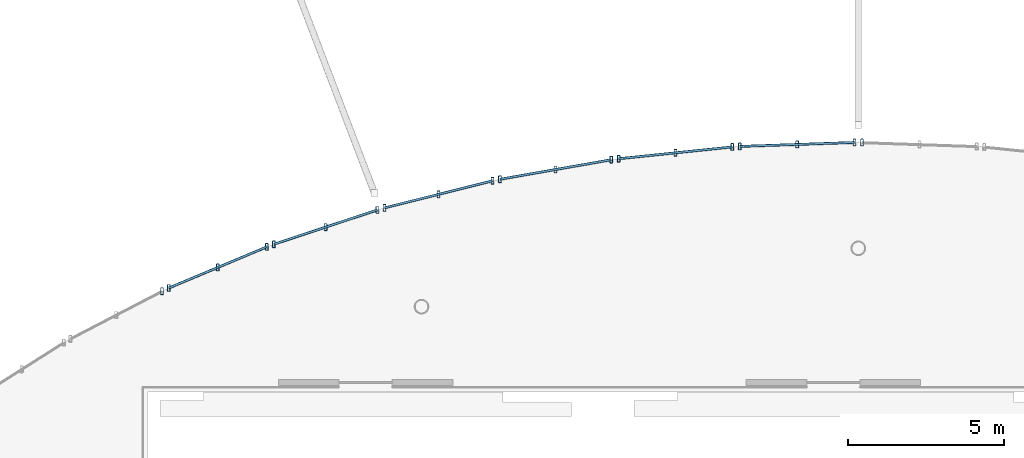
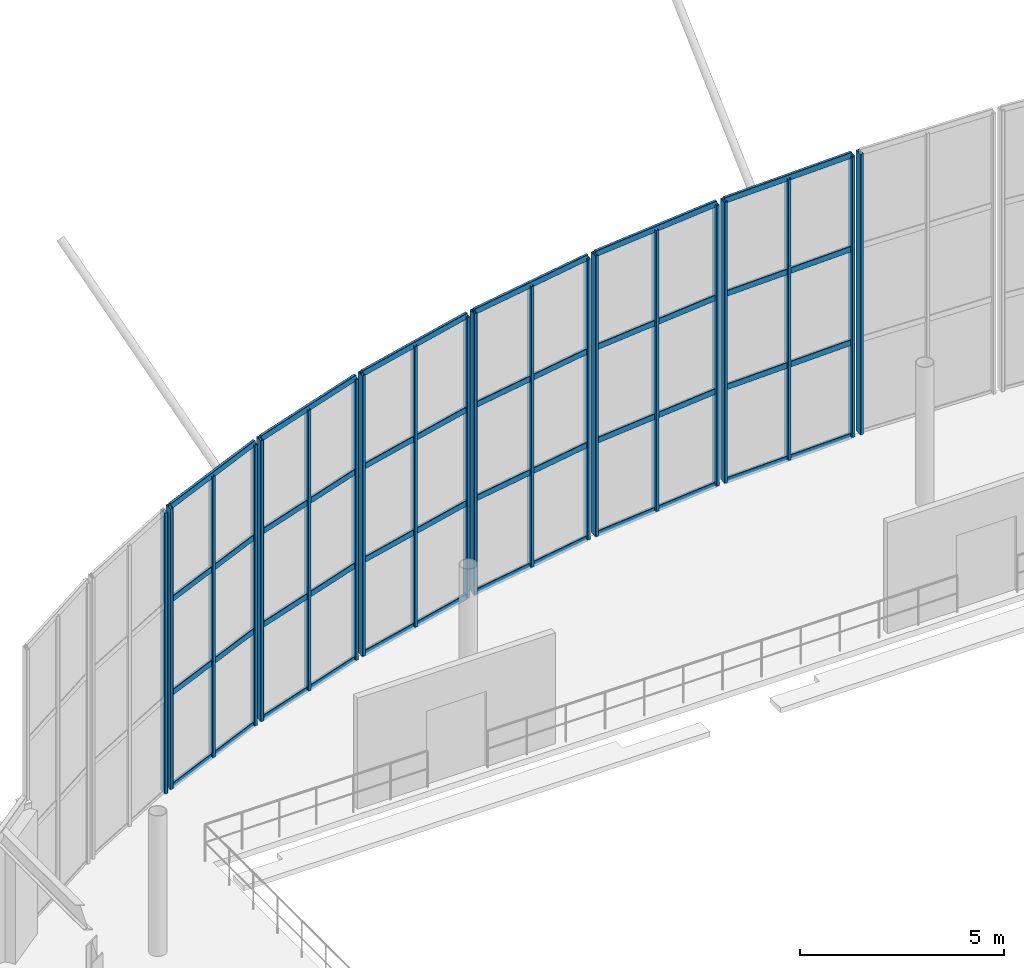
# One storey, part 36 of 109: 44 members, 8 elements without a shape of their own.
"""IFC4 building model written with IfcOpenShell, lengths in metres."""

from ifc_helpers import new_model, si_unit, derived_unit, direction, frame, origin, origin_2d, place, context, subcontext, project, spatial, hollow_rectangle, extrude, material, material_profile, profile_set, type_object, element, aggregate, save


model = new_model("IFC4")

# Units and contexts
model_context = context("Model", 3, precision=1e-05, world=origin(), true_north=direction((0.0, 1.0)))
body_context = subcontext(model_context, "Body", "Model", "MODEL_VIEW")
ifc_project = project(units=[si_unit("LENGTHUNIT", "METRE"), si_unit("AREAUNIT", "SQUARE_METRE"), si_unit("VOLUMEUNIT", "CUBIC_METRE"), si_unit("PLANEANGLEUNIT", "RADIAN"), si_unit("MASSUNIT", "GRAM", prefix="KILO"), derived_unit("THERMALTRANSMITTANCEUNIT", [(si_unit("MASSUNIT", "GRAM", prefix="KILO"), 1), (si_unit("TIMEUNIT", "SECOND"), -3), (si_unit("THERMODYNAMICTEMPERATUREUNIT", "KELVIN"), -1)])], contexts=[model_context])

# Site, building, storey
site_placement = place(None, origin())
site = spatial("IfcSite", under=ifc_project, at=site_placement, CompositionType="ELEMENT")
building_placement = place(site_placement, origin())
building = spatial("IfcBuilding", under=site, at=building_placement, Name="Kharveza Railside Sports Centre", CompositionType="ELEMENT")
storey_placement = place(building_placement, frame((0.0, 0.0, 4.5)))
storey = spatial("IfcBuildingStorey", under=building, at=storey_placement, Name="L01", CompositionType="ELEMENT", Elevation=4.5)

# Curtain wall, member
ifc_material_1 = material(Name="Low-E solar-control laminated glass", Category="glass")
curtain_wall_type = type_object("IfcCurtainWallType", Name="CW-DR01", PredefinedType="NOTDEFINED", material=ifc_material_1)
curtain_wall_1_placement = place(storey_placement, origin())
curtain_wall_1 = element("IfcCurtainWall", 1, at=curtain_wall_1_placement, inside=storey, type_object=curtain_wall_type, Name="CW-DRUM-16", PredefinedType="NOTDEFINED")
ifc_material_2 = material(Name="Anodised aluminium 6063-T6", Category="aluminium")
ifc_material_profile_1 = material_profile(ifc_material_2, hollow_rectangle(XDim=0.090087890625, YDim=0.219970703125, WallThickness=0.008056640625, InnerFilletRadius=0.008056640625, OuterFilletRadius=0.01611328125, at=origin_2d()), Name="RHS 90x220x8.0")
ifc_profile_set_1 = profile_set([ifc_material_profile_1], Name="Anodised aluminium 6063-T6")
member_type_1 = type_object("IfcMemberType", Name="CW-ML01", PredefinedType="MULLION", material=ifc_profile_set_1)
member_1_placement = place(storey_placement, frame((54.719970703125, 78.39599609375, 0.0), z_axis=(0.0, 0.0, 1.0), x_axis=(1.0, 0.0, 0.0)))
member_1 = element("IfcMember", 2, at=member_1_placement, type_object=member_type_1, Name="CW-DRUM-16-ML3", PredefinedType="MULLION", context=body_context, shape_type="SweptSolid", body=[
    extrude(hollow_rectangle(XDim=0.090087890625, YDim=0.219970703125, WallThickness=0.008056640625, InnerFilletRadius=0.008056640625, OuterFilletRadius=0.01611328125, at=origin_2d()), origin(), (0.0, 0.0, 1.0), 8.39990234375),
])
aggregate(curtain_wall_1, [member_1])

# Curtain wall, members
curtain_wall_2_placement = place(storey_placement, origin())
curtain_wall_2 = element("IfcCurtainWall", 3, at=curtain_wall_2_placement, inside=storey, type_object=curtain_wall_type, Name="CW-DRUM-17", PredefinedType="NOTDEFINED")
member_2_placement = place(storey_placement, frame((54.47998046875, 78.39599609375, 0.0), z_axis=(0.0, 0.0, 1.0), x_axis=(1.0, 0.0, 0.0)))
member_2 = element("IfcMember", 4, at=member_2_placement, type_object=member_type_1, Name="CW-DRUM-17-ML1", PredefinedType="MULLION", context=body_context, shape_type="SweptSolid", body=[
    extrude(hollow_rectangle(XDim=0.090087890625, YDim=0.219970703125, WallThickness=0.008056640625, InnerFilletRadius=0.008056640625, OuterFilletRadius=0.01611328125, at=origin_2d()), origin(), (0.0, 0.0, 1.0), 8.39990234375),
])
member_3_placement = place(storey_placement, frame((52.6396484375, 78.33251953125, 0.0), z_axis=(0.0, 0.0, 1.0), x_axis=(1.0, 0.0, 0.0)))
member_3 = element("IfcMember", 5, at=member_3_placement, type_object=member_type_1, Name="CW-DRUM-17-ML2", PredefinedType="MULLION", context=body_context, shape_type="SweptSolid", body=[
    extrude(hollow_rectangle(XDim=0.090087890625, YDim=0.219970703125, WallThickness=0.008056640625, InnerFilletRadius=0.008056640625, OuterFilletRadius=0.01611328125, at=origin_2d()), origin(), (0.0, 0.0, 1.0), 8.39990234375),
])
member_4_placement = place(storey_placement, frame((50.79931640625, 78.269287109375, 0.0), z_axis=(0.0, 0.0, 1.0), x_axis=(1.0, 0.0, 0.0)))
member_4 = element("IfcMember", 6, at=member_4_placement, type_object=member_type_1, Name="CW-DRUM-17-ML3", PredefinedType="MULLION", context=body_context, shape_type="SweptSolid", body=[
    extrude(hollow_rectangle(XDim=0.090087890625, YDim=0.219970703125, WallThickness=0.008056640625, InnerFilletRadius=0.008056640625, OuterFilletRadius=0.01611328125, at=origin_2d()), origin(), (0.0, 0.0, 1.0), 8.39990234375),
])

curtain_wall_3_placement = place(storey_placement, origin())
curtain_wall_3 = element("IfcCurtainWall", 7, at=curtain_wall_3_placement, inside=storey, type_object=curtain_wall_type, Name="CW-DRUM-18", PredefinedType="NOTDEFINED")
member_5_placement = place(storey_placement, frame((50.56005859375, 78.252685546875, 0.0), z_axis=(0.0, 0.0, 1.0), x_axis=(1.0, 0.0, 0.0)))
member_5 = element("IfcMember", 8, at=member_5_placement, type_object=member_type_1, Name="CW-DRUM-18-ML1", PredefinedType="MULLION", context=body_context, shape_type="SweptSolid", body=[
    extrude(hollow_rectangle(XDim=0.090087890625, YDim=0.219970703125, WallThickness=0.008056640625, InnerFilletRadius=0.008056640625, OuterFilletRadius=0.01611328125, at=origin_2d()), origin(), (0.0, 0.0, 1.0), 8.39990234375),
])
member_6_placement = place(storey_placement, frame((48.73779296875, 78.063720703125, 0.0), z_axis=(0.0, 0.0, 1.0), x_axis=(1.0, 0.0, 0.0)))
member_6 = element("IfcMember", 9, at=member_6_placement, type_object=member_type_1, Name="CW-DRUM-18-ML2", PredefinedType="MULLION", context=body_context, shape_type="SweptSolid", body=[
    extrude(hollow_rectangle(XDim=0.090087890625, YDim=0.219970703125, WallThickness=0.008056640625, InnerFilletRadius=0.008056640625, OuterFilletRadius=0.01611328125, at=origin_2d()), origin(), (0.0, 0.0, 1.0), 8.39990234375),
])
member_7_placement = place(storey_placement, frame((46.915771484375, 77.87451171875, 0.0), z_axis=(0.0, 0.0, 1.0), x_axis=(1.0, 0.0, 0.0)))
member_7 = element("IfcMember", 10, at=member_7_placement, type_object=member_type_1, Name="CW-DRUM-18-ML3", PredefinedType="MULLION", context=body_context, shape_type="SweptSolid", body=[
    extrude(hollow_rectangle(XDim=0.090087890625, YDim=0.219970703125, WallThickness=0.008056640625, InnerFilletRadius=0.008056640625, OuterFilletRadius=0.01611328125, at=origin_2d()), origin(), (0.0, 0.0, 1.0), 8.39990234375),
])

curtain_wall_4_placement = place(storey_placement, origin())
curtain_wall_4 = element("IfcCurtainWall", 11, at=curtain_wall_4_placement, inside=storey, type_object=curtain_wall_type, Name="CW-DRUM-19", PredefinedType="NOTDEFINED")
member_8_placement = place(storey_placement, frame((46.67822265625, 77.84130859375, 0.0), z_axis=(0.0, 0.0, 1.0), x_axis=(1.0, 0.0, 0.0)))
member_8 = element("IfcMember", 12, at=member_8_placement, type_object=member_type_1, Name="CW-DRUM-19-ML1", PredefinedType="MULLION", context=body_context, shape_type="SweptSolid", body=[
    extrude(hollow_rectangle(XDim=0.090087890625, YDim=0.219970703125, WallThickness=0.008056640625, InnerFilletRadius=0.008056640625, OuterFilletRadius=0.01611328125, at=origin_2d()), origin(), (0.0, 0.0, 1.0), 8.39990234375),
])
member_9_placement = place(storey_placement, frame((44.892578125, 77.5283203125, 0.0), z_axis=(0.0, 0.0, 1.0), x_axis=(1.0, 0.0, 0.0)))
member_9 = element("IfcMember", 13, at=member_9_placement, type_object=member_type_1, Name="CW-DRUM-19-ML2", PredefinedType="MULLION", context=body_context, shape_type="SweptSolid", body=[
    extrude(hollow_rectangle(XDim=0.090087890625, YDim=0.219970703125, WallThickness=0.008056640625, InnerFilletRadius=0.008056640625, OuterFilletRadius=0.01611328125, at=origin_2d()), origin(), (0.0, 0.0, 1.0), 8.39990234375),
])
member_10_placement = place(storey_placement, frame((43.106689453125, 77.215087890625, 0.0), z_axis=(0.0, 0.0, 1.0), x_axis=(1.0, 0.0, 0.0)))
member_10 = element("IfcMember", 14, at=member_10_placement, type_object=member_type_1, Name="CW-DRUM-19-ML3", PredefinedType="MULLION", context=body_context, shape_type="SweptSolid", body=[
    extrude(hollow_rectangle(XDim=0.090087890625, YDim=0.219970703125, WallThickness=0.008056640625, InnerFilletRadius=0.008056640625, OuterFilletRadius=0.01611328125, at=origin_2d()), origin(), (0.0, 0.0, 1.0), 8.39990234375),
])

curtain_wall_5_placement = place(storey_placement, origin())
curtain_wall_5 = element("IfcCurtainWall", 15, at=curtain_wall_5_placement, inside=storey, type_object=curtain_wall_type, Name="CW-DRUM-20", PredefinedType="NOTDEFINED")
member_11_placement = place(storey_placement, frame((42.872314453125, 77.165283203125, 0.0), z_axis=(0.0, 0.0, 1.0), x_axis=(1.0, 0.0, 0.0)))
member_11 = element("IfcMember", 16, at=member_11_placement, type_object=member_type_1, Name="CW-DRUM-20-ML1", PredefinedType="MULLION", context=body_context, shape_type="SweptSolid", body=[
    extrude(hollow_rectangle(XDim=0.090087890625, YDim=0.219970703125, WallThickness=0.008056640625, InnerFilletRadius=0.008056640625, OuterFilletRadius=0.01611328125, at=origin_2d()), origin(), (0.0, 0.0, 1.0), 8.39990234375),
])
member_12_placement = place(storey_placement, frame((41.140625, 76.7314453125, 0.0), z_axis=(0.0, 0.0, 1.0), x_axis=(1.0, 0.0, 0.0)))
member_12 = element("IfcMember", 17, at=member_12_placement, type_object=member_type_1, Name="CW-DRUM-20-ML2", PredefinedType="MULLION", context=body_context, shape_type="SweptSolid", body=[
    extrude(hollow_rectangle(XDim=0.090087890625, YDim=0.219970703125, WallThickness=0.008056640625, InnerFilletRadius=0.008056640625, OuterFilletRadius=0.01611328125, at=origin_2d()), origin(), (0.0, 0.0, 1.0), 8.39990234375),
])
member_13_placement = place(storey_placement, frame((39.4091796875, 76.2978515625, 0.0), z_axis=(0.0, 0.0, 1.0), x_axis=(1.0, 0.0, 0.0)))
member_13 = element("IfcMember", 18, at=member_13_placement, type_object=member_type_1, Name="CW-DRUM-20-ML3", PredefinedType="MULLION", context=body_context, shape_type="SweptSolid", body=[
    extrude(hollow_rectangle(XDim=0.090087890625, YDim=0.219970703125, WallThickness=0.008056640625, InnerFilletRadius=0.008056640625, OuterFilletRadius=0.01611328125, at=origin_2d()), origin(), (0.0, 0.0, 1.0), 8.39990234375),
])

curtain_wall_6_placement = place(storey_placement, origin())
curtain_wall_6 = element("IfcCurtainWall", 19, at=curtain_wall_6_placement, inside=storey, type_object=curtain_wall_type, Name="CW-DRUM-21", PredefinedType="NOTDEFINED")
member_14_placement = place(storey_placement, frame((39.1787109375, 76.23095703125, 0.0), z_axis=(0.0, 0.0, 1.0), x_axis=(1.0, 0.0, 0.0)))
member_14 = element("IfcMember", 20, at=member_14_placement, type_object=member_type_1, Name="CW-DRUM-21-ML1", PredefinedType="MULLION", context=body_context, shape_type="SweptSolid", body=[
    extrude(hollow_rectangle(XDim=0.090087890625, YDim=0.219970703125, WallThickness=0.008056640625, InnerFilletRadius=0.008056640625, OuterFilletRadius=0.01611328125, at=origin_2d()), origin(), (0.0, 0.0, 1.0), 8.39990234375),
])
member_15_placement = place(storey_placement, frame((37.518310546875, 75.68115234375, 0.0), z_axis=(0.0, 0.0, 1.0), x_axis=(1.0, 0.0, 0.0)))
member_15 = element("IfcMember", 21, at=member_15_placement, type_object=member_type_1, Name="CW-DRUM-21-ML2", PredefinedType="MULLION", context=body_context, shape_type="SweptSolid", body=[
    extrude(hollow_rectangle(XDim=0.090087890625, YDim=0.219970703125, WallThickness=0.008056640625, InnerFilletRadius=0.008056640625, OuterFilletRadius=0.01611328125, at=origin_2d()), origin(), (0.0, 0.0, 1.0), 8.39990234375),
])
member_16_placement = place(storey_placement, frame((35.85791015625, 75.131591796875, 0.0), z_axis=(0.0, 0.0, 1.0), x_axis=(1.0, 0.0, 0.0)))
member_16 = element("IfcMember", 22, at=member_16_placement, type_object=member_type_1, Name="CW-DRUM-21-ML3", PredefinedType="MULLION", context=body_context, shape_type="SweptSolid", body=[
    extrude(hollow_rectangle(XDim=0.090087890625, YDim=0.219970703125, WallThickness=0.008056640625, InnerFilletRadius=0.008056640625, OuterFilletRadius=0.01611328125, at=origin_2d()), origin(), (0.0, 0.0, 1.0), 8.39990234375),
])

curtain_wall_7_placement = place(storey_placement, origin())
curtain_wall_7 = element("IfcCurtainWall", 23, at=curtain_wall_7_placement, inside=storey, type_object=curtain_wall_type, Name="CW-DRUM-22", PredefinedType="NOTDEFINED")
member_17_placement = place(storey_placement, frame((35.633544921875, 75.04736328125, 0.0), z_axis=(0.0, 0.0, 1.0), x_axis=(1.0, 0.0, 0.0)))
member_17 = element("IfcMember", 24, at=member_17_placement, type_object=member_type_1, Name="CW-DRUM-22-ML1", PredefinedType="MULLION", context=body_context, shape_type="SweptSolid", body=[
    extrude(hollow_rectangle(XDim=0.090087890625, YDim=0.219970703125, WallThickness=0.008056640625, InnerFilletRadius=0.008056640625, OuterFilletRadius=0.01611328125, at=origin_2d()), origin(), (0.0, 0.0, 1.0), 8.39990234375),
])
member_18_placement = place(storey_placement, frame((34.060791015625, 74.387451171875, 0.0), z_axis=(0.0, 0.0, 1.0), x_axis=(1.0, 0.0, 0.0)))
member_18 = element("IfcMember", 25, at=member_18_placement, type_object=member_type_1, Name="CW-DRUM-22-ML2", PredefinedType="MULLION", context=body_context, shape_type="SweptSolid", body=[
    extrude(hollow_rectangle(XDim=0.090087890625, YDim=0.219970703125, WallThickness=0.008056640625, InnerFilletRadius=0.008056640625, OuterFilletRadius=0.01611328125, at=origin_2d()), origin(), (0.0, 0.0, 1.0), 8.39990234375),
])
member_19_placement = place(storey_placement, frame((32.48779296875, 73.7275390625, 0.0), z_axis=(0.0, 0.0, 1.0), x_axis=(1.0, 0.0, 0.0)))
member_19 = element("IfcMember", 26, at=member_19_placement, type_object=member_type_1, Name="CW-DRUM-22-ML3", PredefinedType="MULLION", context=body_context, shape_type="SweptSolid", body=[
    extrude(hollow_rectangle(XDim=0.090087890625, YDim=0.219970703125, WallThickness=0.008056640625, InnerFilletRadius=0.008056640625, OuterFilletRadius=0.01611328125, at=origin_2d()), origin(), (0.0, 0.0, 1.0), 8.39990234375),
])

# Curtain wall, member
curtain_wall_8_placement = place(storey_placement, origin())
curtain_wall_8 = element("IfcCurtainWall", 27, at=curtain_wall_8_placement, inside=storey, type_object=curtain_wall_type, Name="CW-DRUM-23", PredefinedType="NOTDEFINED")
member_20_placement = place(storey_placement, frame((32.270751953125, 73.6259765625, 0.0), z_axis=(0.0, 0.0, 1.0), x_axis=(1.0, 0.0, 0.0)))
member_20 = element("IfcMember", 28, at=member_20_placement, type_object=member_type_1, Name="CW-DRUM-23-ML1", PredefinedType="MULLION", context=body_context, shape_type="SweptSolid", body=[
    extrude(hollow_rectangle(XDim=0.090087890625, YDim=0.219970703125, WallThickness=0.008056640625, InnerFilletRadius=0.008056640625, OuterFilletRadius=0.01611328125, at=origin_2d()), origin(), (0.0, 0.0, 1.0), 8.39990234375),
])
aggregate(curtain_wall_8, [member_20])

# Member
ifc_material_profile_2 = material_profile(ifc_material_2, hollow_rectangle(XDim=0.080078125, YDim=0.179931640625, WallThickness=0.00634765625, InnerFilletRadius=0.00634765625, OuterFilletRadius=0.0126953125, at=origin_2d()), Name="RHS 80x180x6.3")
ifc_profile_set_2 = profile_set([ifc_material_profile_2], Name="Anodised aluminium 6063-T6")
member_type_2 = type_object("IfcMemberType", Name="CW-TR01", PredefinedType="USERDEFINED", material=ifc_profile_set_2)
member_21_placement = place(storey_placement, frame((54.47998046875, 78.39599609375, 0.0), z_axis=(-0.999407965993, -0.034405195964, 0.0), x_axis=(0.034405195964, -0.999407965993, 0.0)))
member_21 = element("IfcMember", 29, at=member_21_placement, type_object=member_type_2, Name="CW-DRUM-17-TR1", ObjectType="TRANSOM", PredefinedType="USERDEFINED", context=body_context, shape_type="SweptSolid", body=[
    extrude(hollow_rectangle(XDim=0.080078125, YDim=0.179931640625, WallThickness=0.00634765625, InnerFilletRadius=0.00634765625, OuterFilletRadius=0.0126953125, at=origin_2d()), origin(), (0.0, 0.0, 1.0), 3.682861328125),
])

member_22_placement = place(storey_placement, frame((54.47998046875, 78.39599609375, 2.800048828125), z_axis=(-0.999407965993, -0.034405195964, 0.0), x_axis=(0.034405195964, -0.999407965993, 0.0)))
member_22 = element("IfcMember", 30, at=member_22_placement, type_object=member_type_2, Name="CW-DRUM-17-TR2", ObjectType="TRANSOM", PredefinedType="USERDEFINED", context=body_context, shape_type="SweptSolid", body=[
    extrude(hollow_rectangle(XDim=0.080078125, YDim=0.179931640625, WallThickness=0.00634765625, InnerFilletRadius=0.00634765625, OuterFilletRadius=0.0126953125, at=origin_2d()), origin(), (0.0, 0.0, 1.0), 3.682861328125),
])

member_23_placement = place(storey_placement, frame((54.47998046875, 78.39599609375, 5.60009765625), z_axis=(-0.999407965993, -0.034405195964, 0.0), x_axis=(0.034405195964, -0.999407965993, 0.0)))
member_23 = element("IfcMember", 31, at=member_23_placement, type_object=member_type_2, Name="CW-DRUM-17-TR3", ObjectType="TRANSOM", PredefinedType="USERDEFINED", context=body_context, shape_type="SweptSolid", body=[
    extrude(hollow_rectangle(XDim=0.080078125, YDim=0.179931640625, WallThickness=0.00634765625, InnerFilletRadius=0.00634765625, OuterFilletRadius=0.0126953125, at=origin_2d()), origin(), (0.0, 0.0, 1.0), 3.682861328125),
])

member_24_placement = place(storey_placement, frame((54.47998046875, 78.39599609375, 8.39990234375), z_axis=(-0.999407965993, -0.034405195964, 0.0), x_axis=(0.034405195964, -0.999407965993, 0.0)))
member_24 = element("IfcMember", 32, at=member_24_placement, type_object=member_type_2, Name="CW-DRUM-17-TR4", ObjectType="TRANSOM", PredefinedType="USERDEFINED", context=body_context, shape_type="SweptSolid", body=[
    extrude(hollow_rectangle(XDim=0.080078125, YDim=0.179931640625, WallThickness=0.00634765625, InnerFilletRadius=0.00634765625, OuterFilletRadius=0.0126953125, at=origin_2d()), origin(), (0.0, 0.0, 1.0), 3.682861328125),
])

aggregate(curtain_wall_2, [member_2, member_3, member_4, member_21, member_22, member_23, member_24])

member_25_placement = place(storey_placement, frame((50.56005859375, 78.252685546875, 0.0), z_axis=(-0.994658817436, -0.103217425351, 0.0), x_axis=(0.103217425351, -0.994658817436, 0.0)))
member_25 = element("IfcMember", 33, at=member_25_placement, type_object=member_type_2, Name="CW-DRUM-18-TR1", ObjectType="TRANSOM", PredefinedType="USERDEFINED", context=body_context, shape_type="SweptSolid", body=[
    extrude(hollow_rectangle(XDim=0.080078125, YDim=0.179931640625, WallThickness=0.00634765625, InnerFilletRadius=0.00634765625, OuterFilletRadius=0.0126953125, at=origin_2d()), origin(), (0.0, 0.0, 1.0), 3.663818359375),
])

member_26_placement = place(storey_placement, frame((50.56005859375, 78.252685546875, 2.800048828125), z_axis=(-0.994658817436, -0.103217425351, 0.0), x_axis=(0.103217425351, -0.994658817436, 0.0)))
member_26 = element("IfcMember", 34, at=member_26_placement, type_object=member_type_2, Name="CW-DRUM-18-TR2", ObjectType="TRANSOM", PredefinedType="USERDEFINED", context=body_context, shape_type="SweptSolid", body=[
    extrude(hollow_rectangle(XDim=0.080078125, YDim=0.179931640625, WallThickness=0.00634765625, InnerFilletRadius=0.00634765625, OuterFilletRadius=0.0126953125, at=origin_2d()), origin(), (0.0, 0.0, 1.0), 3.663818359375),
])

member_27_placement = place(storey_placement, frame((50.56005859375, 78.252685546875, 5.60009765625), z_axis=(-0.994658817436, -0.103217425351, 0.0), x_axis=(0.103217425351, -0.994658817436, 0.0)))
member_27 = element("IfcMember", 35, at=member_27_placement, type_object=member_type_2, Name="CW-DRUM-18-TR3", ObjectType="TRANSOM", PredefinedType="USERDEFINED", context=body_context, shape_type="SweptSolid", body=[
    extrude(hollow_rectangle(XDim=0.080078125, YDim=0.179931640625, WallThickness=0.00634765625, InnerFilletRadius=0.00634765625, OuterFilletRadius=0.0126953125, at=origin_2d()), origin(), (0.0, 0.0, 1.0), 3.663818359375),
])

member_28_placement = place(storey_placement, frame((50.56005859375, 78.252685546875, 8.39990234375), z_axis=(-0.994658817436, -0.103217425351, 0.0), x_axis=(0.103217425351, -0.994658817436, 0.0)))
member_28 = element("IfcMember", 36, at=member_28_placement, type_object=member_type_2, Name="CW-DRUM-18-TR4", ObjectType="TRANSOM", PredefinedType="USERDEFINED", context=body_context, shape_type="SweptSolid", body=[
    extrude(hollow_rectangle(XDim=0.080078125, YDim=0.179931640625, WallThickness=0.00634765625, InnerFilletRadius=0.00634765625, OuterFilletRadius=0.0126953125, at=origin_2d()), origin(), (0.0, 0.0, 1.0), 3.663818359375),
])

aggregate(curtain_wall_3, [member_5, member_6, member_7, member_25, member_26, member_27, member_28])

member_29_placement = place(storey_placement, frame((46.67822265625, 77.84130859375, 0.0), z_axis=(-0.984974108724, -0.172702070468, 0.0), x_axis=(0.172702070468, -0.984974108724, 0.0)))
member_29 = element("IfcMember", 37, at=member_29_placement, type_object=member_type_2, Name="CW-DRUM-19-TR1", ObjectType="TRANSOM", PredefinedType="USERDEFINED", context=body_context, shape_type="SweptSolid", body=[
    extrude(hollow_rectangle(XDim=0.080078125, YDim=0.179931640625, WallThickness=0.00634765625, InnerFilletRadius=0.00634765625, OuterFilletRadius=0.0126953125, at=origin_2d()), origin(), (0.0, 0.0, 1.0), 3.6259765625),
])

member_30_placement = place(storey_placement, frame((46.67822265625, 77.84130859375, 2.800048828125), z_axis=(-0.984974108724, -0.172702070468, 0.0), x_axis=(0.172702070468, -0.984974108724, 0.0)))
member_30 = element("IfcMember", 38, at=member_30_placement, type_object=member_type_2, Name="CW-DRUM-19-TR2", ObjectType="TRANSOM", PredefinedType="USERDEFINED", context=body_context, shape_type="SweptSolid", body=[
    extrude(hollow_rectangle(XDim=0.080078125, YDim=0.179931640625, WallThickness=0.00634765625, InnerFilletRadius=0.00634765625, OuterFilletRadius=0.0126953125, at=origin_2d()), origin(), (0.0, 0.0, 1.0), 3.6259765625),
])

member_31_placement = place(storey_placement, frame((46.67822265625, 77.84130859375, 5.60009765625), z_axis=(-0.984974108724, -0.172702070468, 0.0), x_axis=(0.172702070468, -0.984974108724, 0.0)))
member_31 = element("IfcMember", 39, at=member_31_placement, type_object=member_type_2, Name="CW-DRUM-19-TR3", ObjectType="TRANSOM", PredefinedType="USERDEFINED", context=body_context, shape_type="SweptSolid", body=[
    extrude(hollow_rectangle(XDim=0.080078125, YDim=0.179931640625, WallThickness=0.00634765625, InnerFilletRadius=0.00634765625, OuterFilletRadius=0.0126953125, at=origin_2d()), origin(), (0.0, 0.0, 1.0), 3.6259765625),
])

member_32_placement = place(storey_placement, frame((46.67822265625, 77.84130859375, 8.39990234375), z_axis=(-0.984974108724, -0.172702070468, 0.0), x_axis=(0.172702070468, -0.984974108724, 0.0)))
member_32 = element("IfcMember", 40, at=member_32_placement, type_object=member_type_2, Name="CW-DRUM-19-TR4", ObjectType="TRANSOM", PredefinedType="USERDEFINED", context=body_context, shape_type="SweptSolid", body=[
    extrude(hollow_rectangle(XDim=0.080078125, YDim=0.179931640625, WallThickness=0.00634765625, InnerFilletRadius=0.00634765625, OuterFilletRadius=0.0126953125, at=origin_2d()), origin(), (0.0, 0.0, 1.0), 3.6259765625),
])

aggregate(curtain_wall_4, [member_8, member_9, member_10, member_29, member_30, member_31, member_32])

member_33_placement = place(storey_placement, frame((42.872314453125, 77.165283203125, 0.0), z_axis=(-0.970033792232, -0.242970043271, 0.0), x_axis=(0.242970043271, -0.970033792232, 0.0)))
member_33 = element("IfcMember", 41, at=member_33_placement, type_object=member_type_2, Name="CW-DRUM-20-TR1", ObjectType="TRANSOM", PredefinedType="USERDEFINED", context=body_context, shape_type="SweptSolid", body=[
    extrude(hollow_rectangle(XDim=0.080078125, YDim=0.179931640625, WallThickness=0.00634765625, InnerFilletRadius=0.00634765625, OuterFilletRadius=0.0126953125, at=origin_2d()), origin(), (0.0, 0.0, 1.0), 3.570068359375),
])

member_34_placement = place(storey_placement, frame((42.872314453125, 77.165283203125, 2.800048828125), z_axis=(-0.970033792232, -0.242970043271, 0.0), x_axis=(0.242970043271, -0.970033792232, 0.0)))
member_34 = element("IfcMember", 42, at=member_34_placement, type_object=member_type_2, Name="CW-DRUM-20-TR2", ObjectType="TRANSOM", PredefinedType="USERDEFINED", context=body_context, shape_type="SweptSolid", body=[
    extrude(hollow_rectangle(XDim=0.080078125, YDim=0.179931640625, WallThickness=0.00634765625, InnerFilletRadius=0.00634765625, OuterFilletRadius=0.0126953125, at=origin_2d()), origin(), (0.0, 0.0, 1.0), 3.570068359375),
])

member_35_placement = place(storey_placement, frame((42.872314453125, 77.165283203125, 5.60009765625), z_axis=(-0.970033792232, -0.242970043271, 0.0), x_axis=(0.242970043271, -0.970033792232, 0.0)))
member_35 = element("IfcMember", 43, at=member_35_placement, type_object=member_type_2, Name="CW-DRUM-20-TR3", ObjectType="TRANSOM", PredefinedType="USERDEFINED", context=body_context, shape_type="SweptSolid", body=[
    extrude(hollow_rectangle(XDim=0.080078125, YDim=0.179931640625, WallThickness=0.00634765625, InnerFilletRadius=0.00634765625, OuterFilletRadius=0.0126953125, at=origin_2d()), origin(), (0.0, 0.0, 1.0), 3.570068359375),
])

member_36_placement = place(storey_placement, frame((42.872314453125, 77.165283203125, 8.39990234375), z_axis=(-0.970033792232, -0.242970043271, 0.0), x_axis=(0.242970043271, -0.970033792232, 0.0)))
member_36 = element("IfcMember", 44, at=member_36_placement, type_object=member_type_2, Name="CW-DRUM-20-TR4", ObjectType="TRANSOM", PredefinedType="USERDEFINED", context=body_context, shape_type="SweptSolid", body=[
    extrude(hollow_rectangle(XDim=0.080078125, YDim=0.179931640625, WallThickness=0.00634765625, InnerFilletRadius=0.00634765625, OuterFilletRadius=0.0126953125, at=origin_2d()), origin(), (0.0, 0.0, 1.0), 3.570068359375),
])

aggregate(curtain_wall_5, [member_11, member_12, member_13, member_33, member_34, member_35, member_36])

member_37_placement = place(storey_placement, frame((39.1787109375, 76.23095703125, 0.0), z_axis=(-0.949330378628, -0.314279862885, 0.0), x_axis=(0.314279862885, -0.949330378628, 0.0)))
member_37 = element("IfcMember", 45, at=member_37_placement, type_object=member_type_2, Name="CW-DRUM-21-TR1", ObjectType="TRANSOM", PredefinedType="USERDEFINED", context=body_context, shape_type="SweptSolid", body=[
    extrude(hollow_rectangle(XDim=0.080078125, YDim=0.179931640625, WallThickness=0.00634765625, InnerFilletRadius=0.00634765625, OuterFilletRadius=0.0126953125, at=origin_2d()), origin(), (0.0, 0.0, 1.0), 3.498046875),
])

member_38_placement = place(storey_placement, frame((39.1787109375, 76.23095703125, 2.800048828125), z_axis=(-0.949330378628, -0.314279862885, 0.0), x_axis=(0.314279862885, -0.949330378628, 0.0)))
member_38 = element("IfcMember", 46, at=member_38_placement, type_object=member_type_2, Name="CW-DRUM-21-TR2", ObjectType="TRANSOM", PredefinedType="USERDEFINED", context=body_context, shape_type="SweptSolid", body=[
    extrude(hollow_rectangle(XDim=0.080078125, YDim=0.179931640625, WallThickness=0.00634765625, InnerFilletRadius=0.00634765625, OuterFilletRadius=0.0126953125, at=origin_2d()), origin(), (0.0, 0.0, 1.0), 3.498046875),
])

member_39_placement = place(storey_placement, frame((39.1787109375, 76.23095703125, 5.60009765625), z_axis=(-0.949330378628, -0.314279862885, 0.0), x_axis=(0.314279862885, -0.949330378628, 0.0)))
member_39 = element("IfcMember", 47, at=member_39_placement, type_object=member_type_2, Name="CW-DRUM-21-TR3", ObjectType="TRANSOM", PredefinedType="USERDEFINED", context=body_context, shape_type="SweptSolid", body=[
    extrude(hollow_rectangle(XDim=0.080078125, YDim=0.179931640625, WallThickness=0.00634765625, InnerFilletRadius=0.00634765625, OuterFilletRadius=0.0126953125, at=origin_2d()), origin(), (0.0, 0.0, 1.0), 3.498046875),
])

member_40_placement = place(storey_placement, frame((39.1787109375, 76.23095703125, 8.39990234375), z_axis=(-0.949330378628, -0.314279862885, 0.0), x_axis=(0.314279862885, -0.949330378628, 0.0)))
member_40 = element("IfcMember", 48, at=member_40_placement, type_object=member_type_2, Name="CW-DRUM-21-TR4", ObjectType="TRANSOM", PredefinedType="USERDEFINED", context=body_context, shape_type="SweptSolid", body=[
    extrude(hollow_rectangle(XDim=0.080078125, YDim=0.179931640625, WallThickness=0.00634765625, InnerFilletRadius=0.00634765625, OuterFilletRadius=0.0126953125, at=origin_2d()), origin(), (0.0, 0.0, 1.0), 3.498046875),
])

aggregate(curtain_wall_6, [member_14, member_15, member_16, member_37, member_38, member_39, member_40])

member_41_placement = place(storey_placement, frame((35.633544921875, 75.04736328125, 0.0), z_axis=(-0.922127678755, -0.386885698979, 0.0), x_axis=(0.386885698979, -0.922127678755, 0.0)))
member_41 = element("IfcMember", 49, at=member_41_placement, type_object=member_type_2, Name="CW-DRUM-22-TR1", ObjectType="TRANSOM", PredefinedType="USERDEFINED", context=body_context, shape_type="SweptSolid", body=[
    extrude(hollow_rectangle(XDim=0.080078125, YDim=0.179931640625, WallThickness=0.00634765625, InnerFilletRadius=0.00634765625, OuterFilletRadius=0.0126953125, at=origin_2d()), origin(), (0.0, 0.0, 1.0), 3.411376953125),
])

member_42_placement = place(storey_placement, frame((35.633544921875, 75.04736328125, 2.800048828125), z_axis=(-0.922127678755, -0.386885698979, 0.0), x_axis=(0.386885698979, -0.922127678755, 0.0)))
member_42 = element("IfcMember", 50, at=member_42_placement, type_object=member_type_2, Name="CW-DRUM-22-TR2", ObjectType="TRANSOM", PredefinedType="USERDEFINED", context=body_context, shape_type="SweptSolid", body=[
    extrude(hollow_rectangle(XDim=0.080078125, YDim=0.179931640625, WallThickness=0.00634765625, InnerFilletRadius=0.00634765625, OuterFilletRadius=0.0126953125, at=origin_2d()), origin(), (0.0, 0.0, 1.0), 3.411376953125),
])

member_43_placement = place(storey_placement, frame((35.633544921875, 75.04736328125, 5.60009765625), z_axis=(-0.922127678755, -0.386885698979, 0.0), x_axis=(0.386885698979, -0.922127678755, 0.0)))
member_43 = element("IfcMember", 51, at=member_43_placement, type_object=member_type_2, Name="CW-DRUM-22-TR3", ObjectType="TRANSOM", PredefinedType="USERDEFINED", context=body_context, shape_type="SweptSolid", body=[
    extrude(hollow_rectangle(XDim=0.080078125, YDim=0.179931640625, WallThickness=0.00634765625, InnerFilletRadius=0.00634765625, OuterFilletRadius=0.0126953125, at=origin_2d()), origin(), (0.0, 0.0, 1.0), 3.411376953125),
])

member_44_placement = place(storey_placement, frame((35.633544921875, 75.04736328125, 8.39990234375), z_axis=(-0.922127678755, -0.386885698979, 0.0), x_axis=(0.386885698979, -0.922127678755, 0.0)))
member_44 = element("IfcMember", 52, at=member_44_placement, type_object=member_type_2, Name="CW-DRUM-22-TR4", ObjectType="TRANSOM", PredefinedType="USERDEFINED", context=body_context, shape_type="SweptSolid", body=[
    extrude(hollow_rectangle(XDim=0.080078125, YDim=0.179931640625, WallThickness=0.00634765625, InnerFilletRadius=0.00634765625, OuterFilletRadius=0.0126953125, at=origin_2d()), origin(), (0.0, 0.0, 1.0), 3.411376953125),
])

aggregate(curtain_wall_7, [member_17, member_18, member_19, member_41, member_42, member_43, member_44])

save(model, "model.ifc")
